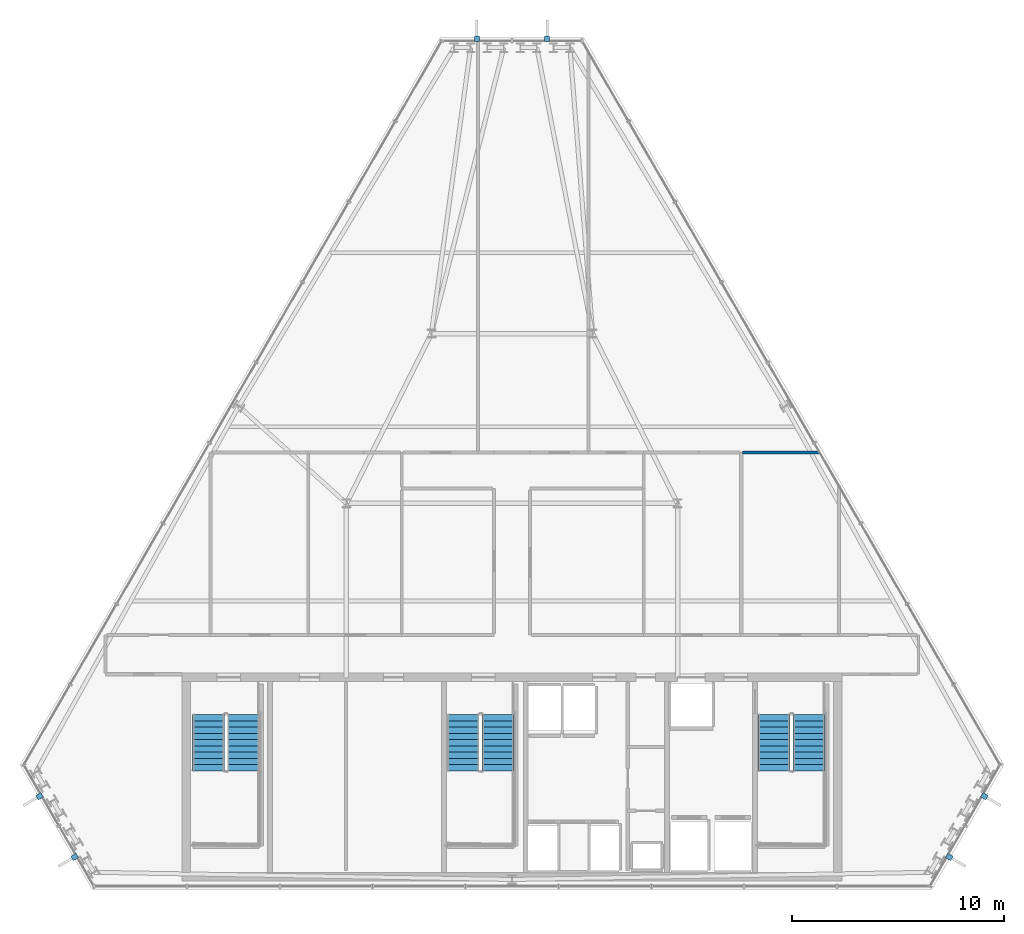
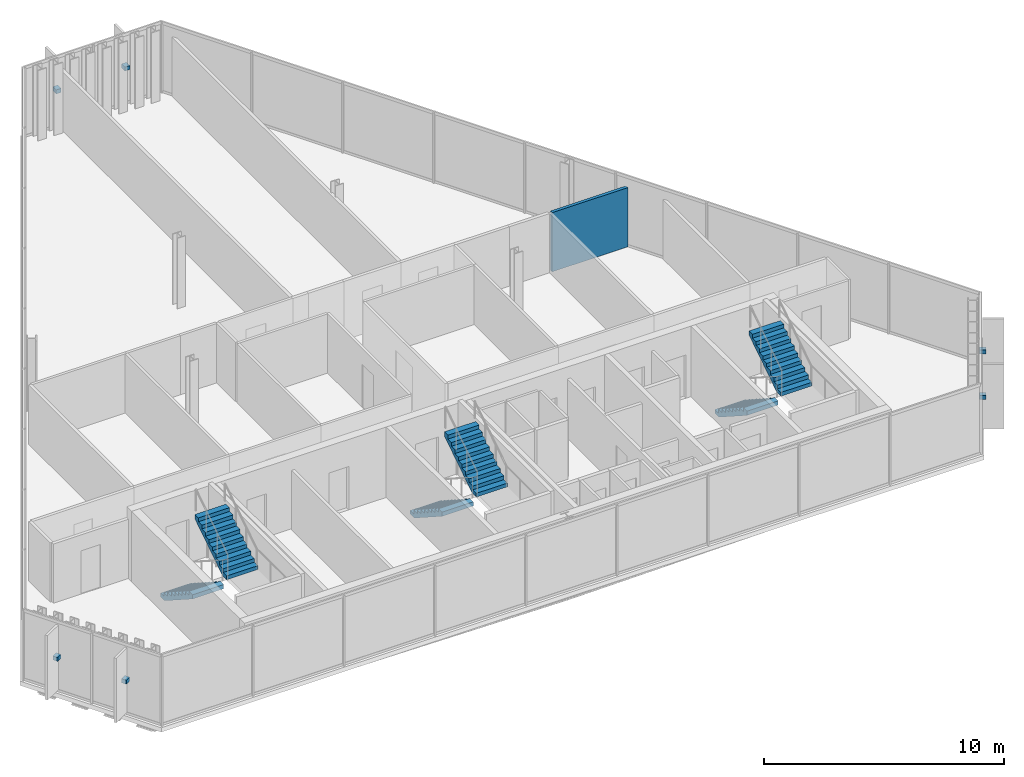
# One storey, part 26 of 29: 6 discrete accessories, 6 stair flights, 1 wall, 3 elements without a shape of their own.
"""IFC4 building model written with IfcOpenShell, lengths in metres."""

import ifcopenshell
import ifcopenshell.guid

model = None  # the IFC model being written
_history = None  # IfcOwnerHistory: only IFC2X3 demands one
_inside = {}  # id of a spatial element -> (the spatial element, [elements in it])
_under = {}  # id of a project, library or spatial element -> (it, [spatial elements below it])
_declared = {}  # id of a project -> (the project, [libraries it declares])
_typed = {}  # id of a type object -> (the type object, [elements of that type])
_made_of = {}  # id of a material, layer set ... -> (it, [elements and type objects made of it])


def new_model(schema):
    """Start an empty IFC model of exactly this schema.

    Asked for "IFC4X3", IfcOpenShell would pick the latest addendum, in which some entities
    have other attributes; the version numbers below select the first issue.
    IFC2X3 requires an IfcOwnerHistory on every rooted entity: one is made here for all.
    """
    global model, _history
    if schema == "IFC4X3":
        model = ifcopenshell.file(schema_version=(4, 3, 0, 0))
    else:
        model = ifcopenshell.file(schema=schema)
    _inside.clear()
    _under.clear()
    _declared.clear()
    _typed.clear()
    _made_of.clear()
    _history = None
    if model.schema == "IFC2X3":
        org = make("IfcOrganization", Name="unknown")
        user = make(
            "IfcPersonAndOrganization",
            ThePerson=make("IfcPerson", FamilyName="unknown"),
            TheOrganization=org,
        )
        app = make(
            "IfcApplication",
            ApplicationDeveloper=org,
            Version="unknown",
            ApplicationFullName="unknown",
            ApplicationIdentifier="unknown",
        )
        _history = make(
            "IfcOwnerHistory",
            OwningUser=user,
            OwningApplication=app,
            ChangeAction="ADDED",
            CreationDate=0,
        )
    return model


def make(cls, **values):
    """One entity of the class cls with the attributes given. An attribute that is None is left unset."""
    return model.create_entity(
        cls, **{name: value for name, value in values.items() if value is not None}
    )


def rooted(cls, **values):
    """An entity with a GlobalId (a new one), such as an element, a storey or a relation."""
    return make(cls, GlobalId=ifcopenshell.guid.new(), OwnerHistory=_history, **values)


def si_unit(unit_type, name, prefix=None):
    """IfcSIUnit, for example si_unit("LENGTHUNIT", "METRE", prefix="MILLI")."""
    return make("IfcSIUnit", UnitType=unit_type, Prefix=prefix, Name=name)


def assignment(units):
    """IfcUnitAssignment: the units of a project."""
    return None if units is None else make("IfcUnitAssignment", Units=units)


def point(xyz):
    """IfcCartesianPoint."""
    return None if xyz is None else make("IfcCartesianPoint", Coordinates=xyz)


def direction(xyz):
    """IfcDirection."""
    return None if xyz is None else make("IfcDirection", DirectionRatios=xyz)


def frame(location, z_axis=None, x_axis=None):
    """IfcAxis2Placement3D, a coordinate frame: its origin and axes. An axis left out is left unset."""
    return make(
        "IfcAxis2Placement3D",
        Location=point(location),
        Axis=direction(z_axis),
        RefDirection=direction(x_axis),
    )


def frame_2d(location, x_axis=None):
    """IfcAxis2Placement2D, a coordinate frame in the plane: its origin and x axis."""
    return make(
        "IfcAxis2Placement2D", Location=point(location), RefDirection=direction(x_axis)
    )


def origin():
    """The frame at (0, 0, 0) with its axes left unset."""
    return frame((0.0, 0.0, 0.0))


def origin_2d():
    """The frame at (0, 0) in the plane with its x axis left unset."""
    return frame_2d((0.0, 0.0))


def place(relative_to, where):
    """IfcLocalPlacement: puts the frame where relative to a parent placement (None: the world)."""
    return make(
        "IfcLocalPlacement", PlacementRelTo=relative_to, RelativePlacement=where
    )


def context(
    kind, dimensions, precision=None, world=None, true_north=None, identifier=None
):
    """IfcGeometricRepresentationContext, for example the 3D "Model" context."""
    return make(
        "IfcGeometricRepresentationContext",
        ContextIdentifier=identifier,
        ContextType=kind,
        CoordinateSpaceDimension=dimensions,
        Precision=precision,
        WorldCoordinateSystem=world,
        TrueNorth=true_north,
    )


def subcontext(parent, identifier, kind, view, scale=None):
    """IfcGeometricRepresentationSubContext, for example "Body" below "Model"."""
    return make(
        "IfcGeometricRepresentationSubContext",
        ContextIdentifier=identifier,
        ContextType=kind,
        ParentContext=parent,
        TargetScale=scale,
        TargetView=view,
    )


def project(units=None, contexts=None):
    """IfcProject with its units and contexts."""
    return rooted(
        "IfcProject",
        Name="project",
        RepresentationContexts=contexts,
        UnitsInContext=assignment(units),
    )


def spatial(cls, under=None, at=None, **own):
    """A site, building, storey or space (cls), placed at a placement, below another one or the project."""
    s = rooted(cls, ObjectPlacement=at, **own)
    if under is not None:
        _under.setdefault(under.id(), (under, []))[1].append(s)
    return s


def polyline(points):
    """IfcPolyline through the points."""
    return make("IfcPolyline", Points=[point(p) for p in points])


def profile(cls, at=None, kind="AREA", **sizes):
    """A parametric profile (cls). Its sizes go by their IFC names, for example OverallWidth=200.0."""
    return make(cls, ProfileType=kind, Position=at, **sizes)


def rectangle(**sizes):
    """IfcRectangleProfileDef."""
    return profile("IfcRectangleProfileDef", **sizes)


def outline(outer, holes=None, kind="AREA"):
    """IfcArbitraryClosedProfileDef: a profile drawn as a closed curve; with holes, ...WithVoids."""
    if holes is None:
        return make("IfcArbitraryClosedProfileDef", ProfileType=kind, OuterCurve=outer)
    return make(
        "IfcArbitraryProfileDefWithVoids",
        ProfileType=kind,
        OuterCurve=outer,
        InnerCurves=holes,
    )


def extrude(swept, where, along, depth):
    """IfcExtrudedAreaSolid: the profile swept, set in the frame where, extruded along a direction by depth."""
    return make(
        "IfcExtrudedAreaSolid",
        SweptArea=swept,
        Position=where,
        ExtrudedDirection=direction(along),
        Depth=depth,
    )


def shape(context_of_items, identifier, shape_type, items):
    """IfcShapeRepresentation: the items that make up one representation, for example the "Body"."""
    return make(
        "IfcShapeRepresentation",
        ContextOfItems=context_of_items,
        RepresentationIdentifier=identifier,
        RepresentationType=shape_type,
        Items=items,
    )


def material(Name=None, Category=None):
    """IfcMaterial."""
    return make("IfcMaterial", Name=Name, Category=Category)


def layer(
    of_material, thickness, ventilated=None, Name=None, Category=None, Priority=None
):
    """IfcMaterialLayer: one layer of a wall or slab, of a material (None: an air gap)."""
    return make(
        "IfcMaterialLayer",
        Material=of_material,
        LayerThickness=thickness,
        IsVentilated=ventilated,
        Name=Name,
        Category=Category,
        Priority=Priority,
    )


def layer_set(layers, Name=None):
    """IfcMaterialLayerSet."""
    return make("IfcMaterialLayerSet", MaterialLayers=layers, LayerSetName=Name)


def made_of(thing, what):
    """Note that an element or type object is made of a material, layer set ...; save() writes the relation."""
    if what is not None:
        _made_of.setdefault(what.id(), (what, []))[1].append(thing)
    return thing


def type_object(cls, material=None, **own):
    """A type object (cls), such as IfcWallType, which elements share."""
    return made_of(rooted(cls, **own), material)


def element(
    cls,
    number,
    at=None,
    inside=None,
    cuts=None,
    type_object=None,
    material=None,
    context=None,
    identifier="Body",
    shape_type=None,
    held_by="IfcProductDefinitionShape",
    body=None,
    shapes=None,
    **own,
):
    """One element of the class cls, such as IfcWall. Its Tag is "e" and its number.

    at: its placement. inside: the storey or other place that contains it. cuts: it is an
    opening in that element (IfcRelVoidsElement). A single representation is given by context,
    identifier, shape_type and body (its items); several are given by shapes. held_by: the class
    of the entity that holds the representations. save() writes the other relations.
    """
    e = rooted(cls, Tag="e%d" % number, ObjectPlacement=at, **own)
    if body is not None:
        shapes = [shape(context, identifier, shape_type, body)]
    if shapes is not None:
        e.Representation = make(held_by, Representations=shapes)
    if inside is not None:
        _inside.setdefault(inside.id(), (inside, []))[1].append(e)
    if cuts is not None:
        rooted(
            "IfcRelVoidsElement", RelatingBuildingElement=cuts, RelatedOpeningElement=e
        )
    if type_object is not None:
        _typed.setdefault(type_object.id(), (type_object, []))[1].append(e)
    return made_of(e, material)


def aggregate(whole, parts):
    """IfcRelAggregates: a whole, such as a stair, and the parts it consists of."""
    return rooted("IfcRelAggregates", RelatingObject=whole, RelatedObjects=parts)


def save(model, path):
    """Write the relations noted so far, then the file.

    IfcRelAggregates (storeys below a building ...), IfcRelContainedInSpatialStructure (elements
    in a storey), IfcRelDefinesByType, IfcRelAssociatesMaterial and IfcRelDeclares: one each for
    every whole, place, type object, material and project.
    """
    for whole, parts in _under.values():
        aggregate(whole, parts)
    for where, things in _inside.values():
        rooted(
            "IfcRelContainedInSpatialStructure",
            RelatedElements=things,
            RelatingStructure=where,
        )
    for kind, things in _typed.values():
        rooted("IfcRelDefinesByType", RelatedObjects=things, RelatingType=kind)
    for what, things in _made_of.values():
        rooted("IfcRelAssociatesMaterial", RelatedObjects=things, RelatingMaterial=what)
    for by, libraries in _declared.values():
        rooted("IfcRelDeclares", RelatingContext=by, RelatedDefinitions=libraries)
    model.write(path)


model = new_model("IFC4")

# Units and contexts
model_context = context("Model", 3, precision=1e-05, world=origin(), true_north=direction((0.0, 1.0)))
body_context = subcontext(model_context, "Body", "Model", "MODEL_VIEW")
ifc_project = project(units=[si_unit("LENGTHUNIT", "METRE"), si_unit("AREAUNIT", "SQUARE_METRE"), si_unit("VOLUMEUNIT", "CUBIC_METRE"), si_unit("PLANEANGLEUNIT", "RADIAN"), si_unit("MASSUNIT", "GRAM", prefix="KILO")], contexts=[model_context])

# Site, building, storey
site_placement = place(None, origin())
site = spatial("IfcSite", under=ifc_project, at=site_placement, CompositionType="ELEMENT")
building_placement = place(site_placement, origin())
building = spatial("IfcBuilding", under=site, at=building_placement, Name="Ndaravel Arena Tower", CompositionType="ELEMENT")
storey_placement = place(building_placement, frame((0.0, 0.0, 244.60009765625)))
storey = spatial("IfcBuildingStorey", under=building, at=storey_placement, Name="L59", CompositionType="ELEMENT", Elevation=244.60009765625)

# Wall
ifc_material_1 = material(Name="Masonry", Category="masonry")
ifc_layer = layer(ifc_material_1, 0.14990234375)
ifc_layer_set = layer_set([ifc_layer], Name="Masonry")
wall_type = type_object("IfcWallType", Name="WALL-WET-150", PredefinedType="PARTITIONING", material=ifc_layer_set)
wall_placement = place(storey_placement, frame((52.864990234375, 25.60009765625, 0.0), z_axis=(0.0, 0.0, 1.0), x_axis=(1.0, 0.0, 0.0)))
element("IfcWall", 1, at=wall_placement, inside=storey, type_object=wall_type, Name="L59 Interior Partition 029", PredefinedType="PARTITIONING", context=body_context, shape_type="SweptSolid", body=[
    extrude(rectangle(XDim=3.63330078125, YDim=0.14990234375, at=frame_2d((1.816650390625, 0.0))), origin(), (0.0, 0.0, 1.0), 3.010498046875),
])

# Stair, stair flights
ifc_material_2 = material(Name="Concrete C40/50", Category="concrete")
stair_type = type_object("IfcStairType", Name="STAIR-CORE-HT", PredefinedType="HALF_TURN_STAIR", material=ifc_material_2)
stair_1_placement = place(storey_placement, origin())
stair_1 = element("IfcStair", 2, at=stair_1_placement, inside=storey, type_object=stair_type, Name="L59 ST-1", PredefinedType="HALF_TURN_STAIR")
ifc_material_3 = material(Name="Concrete C40/50", Category="concrete")
stair_flight_type = type_object("IfcStairFlightType", Name="SFLIGHT-CORE-1680", PredefinedType="STRAIGHT", material=ifc_material_3)
stair_flight_1_placement = place(storey_placement, frame((27.699951171875, 13.25, 0.0), z_axis=(0.0, 0.0, 1.0), x_axis=(0.0, -1.0, 0.0)))
stair_flight_1 = element("IfcStairFlight", 3, at=stair_flight_1_placement, type_object=stair_flight_type, Name="ST-1 flight 1", NumberOfRisers=10, NumberOfTreads=9, PredefinedType="STRAIGHT", RiserHeight=0.19, TreadLength=0.295, context=body_context, shape_type="SweptSolid", body=[
    extrude(outline(polyline([(0.0, 0.0), (0.0, 0.18994140625), (0.294921875, 0.18994140625), (0.294921875, 0.3798828125), (0.590087890625, 0.3798828125), (0.590087890625, 0.570068359375), (0.885009765625, 0.570068359375), (0.885009765625, 0.760009765625), (1.179931640625, 0.760009765625), (1.179931640625, 0.949951171875), (1.47509765625, 0.949951171875), (1.47509765625, 1.139892578125), (1.77001953125, 1.139892578125), (1.77001953125, 1.330078125), (2.06494140625, 1.330078125), (2.06494140625, 1.52001953125), (2.360107421875, 1.52001953125), (2.360107421875, 1.7099609375), (2.655029296875, 1.7099609375), (2.655029296875, 1.89990234375), (2.655029296875, 1.49609375), (0.332275390625, 0.0), (0.0, 0.0)])), frame((0.0, 0.75, 0.0), z_axis=(0.0, -1.0, 0.0), x_axis=(1.0, 0.0, 0.0)), (0.0, 0.0, 1.0), 1.5),
])
stair_flight_2_placement = place(storey_placement, frame((29.340087890625, 10.594970703125, 1.89990234375), z_axis=(0.0, 0.0, 1.0), x_axis=(0.0, 1.0, 0.0)))
stair_flight_2 = element("IfcStairFlight", 4, at=stair_flight_2_placement, type_object=stair_flight_type, Name="ST-1 flight 2", NumberOfRisers=10, NumberOfTreads=9, PredefinedType="STRAIGHT", RiserHeight=0.19, TreadLength=0.295, context=body_context, shape_type="SweptSolid", body=[
    extrude(outline(polyline([(0.0, 0.0), (0.0, 0.18994140625), (0.294921875, 0.18994140625), (0.294921875, 0.3798828125), (0.590087890625, 0.3798828125), (0.590087890625, 0.570068359375), (0.885009765625, 0.570068359375), (0.885009765625, 0.760009765625), (1.179931640625, 0.760009765625), (1.179931640625, 0.949951171875), (1.47509765625, 0.949951171875), (1.47509765625, 1.139892578125), (1.77001953125, 1.139892578125), (1.77001953125, 1.330078125), (2.06494140625, 1.330078125), (2.06494140625, 1.52001953125), (2.360107421875, 1.52001953125), (2.360107421875, 1.7099609375), (2.655029296875, 1.7099609375), (2.655029296875, 1.89990234375), (2.655029296875, 1.49609375), (0.332275390625, 0.0), (0.0, 0.0)])), frame((0.0, 0.75, 0.0), z_axis=(0.0, -1.0, 0.0), x_axis=(1.0, 0.0, 0.0)), (0.0, 0.0, 1.0), 1.5),
])
aggregate(stair_1, [stair_flight_1, stair_flight_2])

stair_2_placement = place(storey_placement, origin())
stair_2 = element("IfcStair", 5, at=stair_2_placement, inside=storey, type_object=stair_type, Name="L59 ST-2", PredefinedType="HALF_TURN_STAIR")
stair_flight_3_placement = place(storey_placement, frame((39.699951171875, 13.25, 0.0), z_axis=(0.0, 0.0, 1.0), x_axis=(0.0, -1.0, 0.0)))
stair_flight_3 = element("IfcStairFlight", 6, at=stair_flight_3_placement, type_object=stair_flight_type, Name="ST-2 flight 1", NumberOfRisers=10, NumberOfTreads=9, PredefinedType="STRAIGHT", RiserHeight=0.19, TreadLength=0.295, context=body_context, shape_type="SweptSolid", body=[
    extrude(outline(polyline([(0.0, 0.0), (0.0, 0.18994140625), (0.294921875, 0.18994140625), (0.294921875, 0.3798828125), (0.590087890625, 0.3798828125), (0.590087890625, 0.570068359375), (0.885009765625, 0.570068359375), (0.885009765625, 0.760009765625), (1.179931640625, 0.760009765625), (1.179931640625, 0.949951171875), (1.47509765625, 0.949951171875), (1.47509765625, 1.139892578125), (1.77001953125, 1.139892578125), (1.77001953125, 1.330078125), (2.06494140625, 1.330078125), (2.06494140625, 1.52001953125), (2.360107421875, 1.52001953125), (2.360107421875, 1.7099609375), (2.655029296875, 1.7099609375), (2.655029296875, 1.89990234375), (2.655029296875, 1.49609375), (0.332275390625, 0.0), (0.0, 0.0)])), frame((0.0, 0.75, 0.0), z_axis=(0.0, -1.0, 0.0), x_axis=(1.0, 0.0, 0.0)), (0.0, 0.0, 1.0), 1.5),
])
stair_flight_4_placement = place(storey_placement, frame((41.340087890625, 10.594970703125, 1.89990234375), z_axis=(0.0, 0.0, 1.0), x_axis=(0.0, 1.0, 0.0)))
stair_flight_4 = element("IfcStairFlight", 7, at=stair_flight_4_placement, type_object=stair_flight_type, Name="ST-2 flight 2", NumberOfRisers=10, NumberOfTreads=9, PredefinedType="STRAIGHT", RiserHeight=0.19, TreadLength=0.295, context=body_context, shape_type="SweptSolid", body=[
    extrude(outline(polyline([(0.0, 0.0), (0.0, 0.18994140625), (0.294921875, 0.18994140625), (0.294921875, 0.3798828125), (0.590087890625, 0.3798828125), (0.590087890625, 0.570068359375), (0.885009765625, 0.570068359375), (0.885009765625, 0.760009765625), (1.179931640625, 0.760009765625), (1.179931640625, 0.949951171875), (1.47509765625, 0.949951171875), (1.47509765625, 1.139892578125), (1.77001953125, 1.139892578125), (1.77001953125, 1.330078125), (2.06494140625, 1.330078125), (2.06494140625, 1.52001953125), (2.360107421875, 1.52001953125), (2.360107421875, 1.7099609375), (2.655029296875, 1.7099609375), (2.655029296875, 1.89990234375), (2.655029296875, 1.49609375), (0.332275390625, 0.0), (0.0, 0.0)])), frame((0.0, 0.75, 0.0), z_axis=(0.0, -1.0, 0.0), x_axis=(1.0, 0.0, 0.0)), (0.0, 0.0, 1.0), 1.5),
])
aggregate(stair_2, [stair_flight_3, stair_flight_4])

stair_3_placement = place(storey_placement, origin())
stair_3 = element("IfcStair", 8, at=stair_3_placement, inside=storey, type_object=stair_type, Name="L59 ST-3", PredefinedType="HALF_TURN_STAIR")
stair_flight_5_placement = place(storey_placement, frame((54.35009765625, 13.25, 0.0), z_axis=(0.0, 0.0, 1.0), x_axis=(0.0, -1.0, 0.0)))
stair_flight_5 = element("IfcStairFlight", 9, at=stair_flight_5_placement, type_object=stair_flight_type, Name="ST-3 flight 1", NumberOfRisers=10, NumberOfTreads=9, PredefinedType="STRAIGHT", RiserHeight=0.19, TreadLength=0.295, context=body_context, shape_type="SweptSolid", body=[
    extrude(outline(polyline([(0.0, 0.0), (0.0, 0.18994140625), (0.294921875, 0.18994140625), (0.294921875, 0.3798828125), (0.590087890625, 0.3798828125), (0.590087890625, 0.570068359375), (0.885009765625, 0.570068359375), (0.885009765625, 0.760009765625), (1.179931640625, 0.760009765625), (1.179931640625, 0.949951171875), (1.47509765625, 0.949951171875), (1.47509765625, 1.139892578125), (1.77001953125, 1.139892578125), (1.77001953125, 1.330078125), (2.06494140625, 1.330078125), (2.06494140625, 1.52001953125), (2.360107421875, 1.52001953125), (2.360107421875, 1.7099609375), (2.655029296875, 1.7099609375), (2.655029296875, 1.89990234375), (2.655029296875, 1.49609375), (0.332275390625, 0.0), (0.0, 0.0)])), frame((0.0, 0.75, 0.0), z_axis=(0.0, -1.0, 0.0), x_axis=(1.0, 0.0, 0.0)), (0.0, 0.0, 1.0), 1.5),
])
stair_flight_6_placement = place(storey_placement, frame((55.989990234375, 10.594970703125, 1.89990234375), z_axis=(0.0, 0.0, 1.0), x_axis=(0.0, 1.0, 0.0)))
stair_flight_6 = element("IfcStairFlight", 10, at=stair_flight_6_placement, type_object=stair_flight_type, Name="ST-3 flight 2", NumberOfRisers=10, NumberOfTreads=9, PredefinedType="STRAIGHT", RiserHeight=0.19, TreadLength=0.295, context=body_context, shape_type="SweptSolid", body=[
    extrude(outline(polyline([(0.0, 0.0), (0.0, 0.18994140625), (0.294921875, 0.18994140625), (0.294921875, 0.3798828125), (0.590087890625, 0.3798828125), (0.590087890625, 0.570068359375), (0.885009765625, 0.570068359375), (0.885009765625, 0.760009765625), (1.179931640625, 0.760009765625), (1.179931640625, 0.949951171875), (1.47509765625, 0.949951171875), (1.47509765625, 1.139892578125), (1.77001953125, 1.139892578125), (1.77001953125, 1.330078125), (2.06494140625, 1.330078125), (2.06494140625, 1.52001953125), (2.360107421875, 1.52001953125), (2.360107421875, 1.7099609375), (2.655029296875, 1.7099609375), (2.655029296875, 1.89990234375), (2.655029296875, 1.49609375), (0.332275390625, 0.0), (0.0, 0.0)])), frame((0.0, 0.75, 0.0), z_axis=(0.0, -1.0, 0.0), x_axis=(1.0, 0.0, 0.0)), (0.0, 0.0, 1.0), 1.5),
])
aggregate(stair_3, [stair_flight_5, stair_flight_6])

# Discrete accessories
ifc_material_4 = material(Name="Steel S355", Category="steel")
discrete_accessory_type = type_object("IfcDiscreteAccessoryType", Name="ACC-BRACKET-FIN", PredefinedType="BRACKET", material=ifc_material_4)
for number, where, z_axis, x_axis, name in (
    (11, (62.6044921875, 6.54052734375, 1.68994140625), (0.0, 0.0, 1.0), (0.866025403784, -0.5, 0.0), "L59 Mazeras Stone Solar Fin E2.1 Bracket"),
    (12, (64.25634765625, 9.401611328125, 1.68994140625), (0.0, 0.0, 1.0), (0.866025403784, -0.5, 0.0), "L59 Mazeras Stone Solar Fin E2.2 Bracket"),
    (13, (43.65185546875, 45.089599609375, 1.68994140625), (0.0, 0.0, 1.0), (0.0, 1.0, 0.0), "L59 Mazeras Stone Solar Fin E4.1 Bracket"),
    (14, (40.34814453125, 45.089599609375, 1.68994140625), (0.0, 0.0, 1.0), (0.0, 1.0, 0.0), "L59 Mazeras Stone Solar Fin E4.2 Bracket"),
    (15, (19.74365234375, 9.401611328125, 1.68994140625), (0.0, 0.0, 1.0), (-0.866025403784, -0.5, 0.0), "L59 Mazeras Stone Solar Fin E6.1 Bracket"),
    (16, (21.3955078125, 6.54052734375, 1.68994140625), (0.0, 0.0, 1.0), (-0.866025403784, -0.5, 0.0), "L59 Mazeras Stone Solar Fin E6.2 Bracket"),
):
    element("IfcDiscreteAccessory", number, at=place(storey_placement, frame(where, z_axis=z_axis, x_axis=x_axis)), inside=storey, type_object=discrete_accessory_type, Name=name, PredefinedType="BRACKET", context=body_context, shape_type="SweptSolid", body=[
        extrude(rectangle(XDim=0.280029296875, YDim=0.239990234375, at=origin_2d()), origin(), (0.0, 0.0, 1.0), 0.199951171875),
    ])

save(model, "model.ifc")
